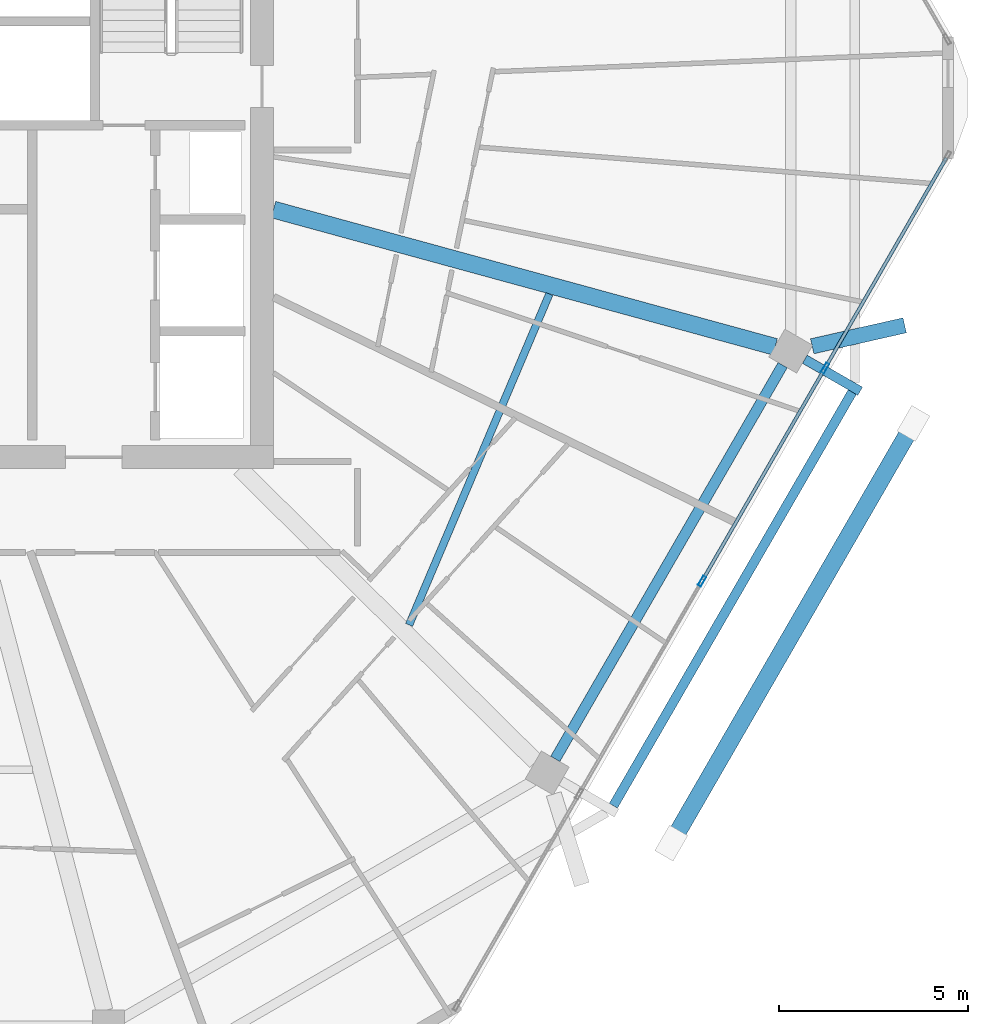
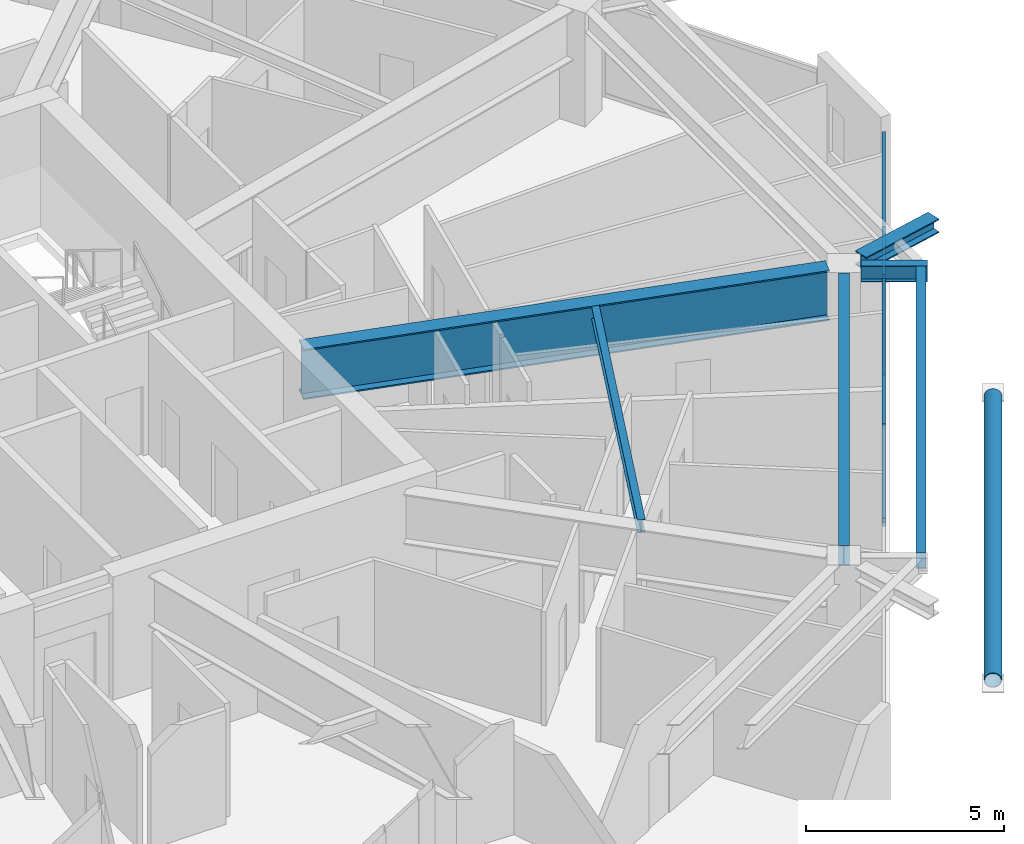
# One storey, part 10 of 26: 7 members, 6 beams, 1 element without a shape of its own.
"""IFC4 building model written with IfcOpenShell, lengths in metres."""

from ifc_helpers import new_model, si_unit, direction, frame, origin, origin_2d, place, context, subcontext, project, spatial, hollow_rectangle, hollow_circle, i_section, extrude, material, material_profile, profile_set, type_object, element, aggregate, save


model = new_model("IFC4")

# Units and contexts
model_context = context("Model", 3, precision=1e-05, world=origin(), true_north=direction((0.0, 1.0)))
body_context = subcontext(model_context, "Body", "Model", "MODEL_VIEW")
ifc_project = project(units=[si_unit("LENGTHUNIT", "METRE"), si_unit("AREAUNIT", "SQUARE_METRE"), si_unit("VOLUMEUNIT", "CUBIC_METRE"), si_unit("PLANEANGLEUNIT", "RADIAN"), si_unit("MASSUNIT", "GRAM", prefix="KILO")], contexts=[model_context])

# Site, building, storey
site_placement = place(None, origin())
site = spatial("IfcSite", under=ifc_project, at=site_placement, CompositionType="ELEMENT")
building_placement = place(site_placement, origin())
building = spatial("IfcBuilding", under=site, at=building_placement, Name="Zuhravey Tower", CompositionType="ELEMENT")
storey_placement = place(building_placement, frame((0.0, 0.0, 299.60009765625)))
storey = spatial("IfcBuildingStorey", under=building, at=storey_placement, Name="L76", CompositionType="ELEMENT", Elevation=299.60009765625)

# Curtain wall, members
ifc_material_1 = material(Name="Thermally broken anodised aluminium", Category="aluminium")
curtain_wall_type = type_object("IfcCurtainWallType", Name="Zone 3-4 High-Rise Curtain Wall CW4", PredefinedType="NOTDEFINED", material=ifc_material_1)
curtain_wall_placement = place(storey_placement, origin())
curtain_wall = element("IfcCurtainWall", 1, at=curtain_wall_placement, inside=storey, type_object=curtain_wall_type, Name="L76 CW4 CW-L76-F6-1", PredefinedType="NOTDEFINED")
ifc_material_2 = material(Name="Anodised aluminium", Category="aluminium")
ifc_material_profile_1 = material_profile(ifc_material_2, hollow_rectangle(XDim=0.090087890625, YDim=0.284912109375, WallThickness=0.0048828125, at=origin_2d()), Name="ALU-RHS-90x285x5")
ifc_profile_set_1 = profile_set([ifc_material_profile_1], Name="Anodised aluminium")
member_type_1 = type_object("IfcMemberType", Name="Curtain-Wall Mullion 90x180", PredefinedType="MULLION", material=ifc_profile_set_1)
member_1_placement = place(storey_placement, frame((61.391845703125, 24.852783203125, 0.0), z_axis=(0.0, 0.0, 1.0), x_axis=(0.866024851021, -0.500000957414, 0.0)))
member_1 = element("IfcMember", 2, at=member_1_placement, type_object=member_type_1, Name="CW4 mullion 2", PredefinedType="MULLION", context=body_context, shape_type="SweptSolid", body=[
    extrude(hollow_rectangle(XDim=0.090087890625, YDim=0.284912109375, WallThickness=0.0048828125, at=origin_2d()), origin(), (0.0, 0.0, 1.0), 3.02001953125),
])
member_2_placement = place(storey_placement, frame((58.138671875, 19.21826171875, 0.0), z_axis=(0.0, 0.0, 1.0), x_axis=(0.866024851021, -0.500000957414, 0.0)))
member_2 = element("IfcMember", 3, at=member_2_placement, type_object=member_type_1, Name="CW4 mullion 3", PredefinedType="MULLION", context=body_context, shape_type="SweptSolid", body=[
    extrude(hollow_rectangle(XDim=0.090087890625, YDim=0.284912109375, WallThickness=0.0048828125, at=origin_2d()), origin(), (0.0, 0.0, 1.0), 3.02001953125),
])
ifc_material_profile_2 = material_profile(ifc_material_2, hollow_rectangle(XDim=0.090087890625, YDim=0.14990234375, WallThickness=0.0048828125, at=origin_2d()), Name="ALU-RHS-90x150x5")
ifc_profile_set_2 = profile_set([ifc_material_profile_2], Name="Anodised aluminium")
member_type_2 = type_object("IfcMemberType", Name="Curtain-Wall Transom 90x150", PredefinedType="USERDEFINED", material=ifc_profile_set_2)
member_3_placement = place(storey_placement, frame((64.60009765625, 30.40966796875, 0.044921875), z_axis=(-0.500008810174, -0.866020317169, 0.0), x_axis=(0.866020317169, -0.500008810174, 0.0)))
member_3 = element("IfcMember", 4, at=member_3_placement, type_object=member_type_2, Name="CW4 transom 1.1", ObjectType="TRANSOM", PredefinedType="USERDEFINED", context=body_context, shape_type="SweptSolid", body=[
    extrude(hollow_rectangle(XDim=0.090087890625, YDim=0.14990234375, WallThickness=0.0048828125, at=origin_2d()), origin(), (0.0, 0.0, 1.0), 6.37158203125),
])
member_4_placement = place(storey_placement, frame((64.60009765625, 30.40966796875, 2.974853515625), z_axis=(-0.500008810174, -0.866020317169, 0.0), x_axis=(0.866020317169, -0.500008810174, 0.0)))
member_4 = element("IfcMember", 5, at=member_4_placement, type_object=member_type_2, Name="CW4 transom 1.2", ObjectType="TRANSOM", PredefinedType="USERDEFINED", context=body_context, shape_type="SweptSolid", body=[
    extrude(hollow_rectangle(XDim=0.090087890625, YDim=0.14990234375, WallThickness=0.0048828125, at=origin_2d()), origin(), (0.0, 0.0, 1.0), 6.37158203125),
])
member_5_placement = place(storey_placement, frame((61.369384765625, 24.81396484375, 0.044921875), z_axis=(-0.499998017366, -0.866026548456, 0.0), x_axis=(0.866026548456, -0.499998017366, 0.0)))
member_5 = element("IfcMember", 6, at=member_5_placement, type_object=member_type_2, Name="CW4 transom 2.1", ObjectType="TRANSOM", PredefinedType="USERDEFINED", context=body_context, shape_type="SweptSolid", body=[
    extrude(hollow_rectangle(XDim=0.090087890625, YDim=0.14990234375, WallThickness=0.0048828125, at=origin_2d()), origin(), (0.0, 0.0, 1.0), 6.41650390625),
])
member_6_placement = place(storey_placement, frame((61.369384765625, 24.81396484375, 2.974853515625), z_axis=(-0.499998017366, -0.866026548456, 0.0), x_axis=(0.866026548456, -0.499998017366, 0.0)))
member_6 = element("IfcMember", 7, at=member_6_placement, type_object=member_type_2, Name="CW4 transom 2.2", ObjectType="TRANSOM", PredefinedType="USERDEFINED", context=body_context, shape_type="SweptSolid", body=[
    extrude(hollow_rectangle(XDim=0.090087890625, YDim=0.14990234375, WallThickness=0.0048828125, at=origin_2d()), origin(), (0.0, 0.0, 1.0), 6.41650390625),
])
aggregate(curtain_wall, [member_1, member_2, member_3, member_4, member_5, member_6])

# Beam
ifc_material_3 = material(Name="Steel SM460", Category="steel")
ifc_material_profile_3 = material_profile(ifc_material_3, i_section(OverallWidth=0.406982421875, OverallDepth=0.427978515625, WebThickness=0.02001953125, FlangeThickness=0.034912109375, at=origin_2d()), Name="H-428x407x20x35")
ifc_profile_set_3 = profile_set([ifc_material_profile_3], Name="Steel SM460")
beam_type_1 = type_object("IfcBeamType", Name="Exoskeleton Node Tie Beam H428x407", PredefinedType="BEAM", material=ifc_profile_set_3)
beam_1_placement = place(storey_placement, frame((61.052978515625, 25.429931640625, 3.305908203125), z_axis=(0.975322792155, 0.220783720192, 0.0), x_axis=(-0.220783720192, 0.975322792155, 0.0)))
element("IfcBeam", 8, at=beam_1_placement, inside=storey, type_object=beam_type_1, Name="L76 Exoskeleton Node Tie NT1-12", PredefinedType="BEAM", context=body_context, shape_type="SweptSolid", body=[
    extrude(i_section(OverallWidth=0.406982421875, OverallDepth=0.427978515625, WebThickness=0.02001953125, FlangeThickness=0.034912109375, at=origin_2d()), origin(), (0.0, 0.0, 1.0), 2.5078125),
])

# Member
ifc_material_4 = material(Name="Steel SM355", Category="steel")
ifc_material_profile_4 = material_profile(ifc_material_4, hollow_circle(Radius=0.228515625, WallThickness=0.02197265625, at=origin_2d()), Name="CHS-457.2x22")
ifc_profile_set_4 = profile_set([ifc_material_profile_4], Name="Steel SM355")
member_type_3 = type_object("IfcMemberType", Name="Exoskeleton Ring Tie CHS457x22", PredefinedType="CHORD", material=ifc_profile_set_4)
member_7_placement = place(storey_placement, frame((57.39501953125, 12.41015625, -0.464111328125), z_axis=(0.50000793057, 0.866020825019, 0.0), x_axis=(-0.866020825019, 0.50000793057, 0.0)))
element("IfcMember", 9, at=member_7_placement, inside=storey, type_object=member_type_3, Name="L76 Exoskeleton Face 6 Tie EXR1", PredefinedType="CHORD", context=body_context, shape_type="SweptSolid", body=[
    extrude(hollow_circle(Radius=0.228515625, WallThickness=0.02197265625, at=origin_2d()), origin(), (0.0, 0.0, 1.0), 12.535400390625),
])

# Beams
ifc_material_profile_5 = material_profile(ifc_material_3, i_section(OverallWidth=0.449951171875, OverallDepth=1.550048828125, WebThickness=0.02587890625, FlangeThickness=0.0419921875, at=origin_2d()), Name="H-1550x450x26x42")
ifc_profile_set_5 = profile_set([ifc_material_profile_5], Name="Steel SM460")
beam_type_2 = type_object("IfcBeamType", Name="Heavy Setback Transfer Girder H1550x450", PredefinedType="BEAM", material=ifc_profile_set_5)
beam_2_placement = place(storey_placement, frame((46.802978515625, 29.04443359375, 2.744873046875), z_axis=(0.964549305009, -0.263902705947, 0.0), x_axis=(0.263902705947, 0.964549305009, 0.0)))
element("IfcBeam", 10, at=beam_2_placement, inside=storey, type_object=beam_type_2, Name="L76 TG3 BM-L76-RAD-12", PredefinedType="BEAM", context=body_context, shape_type="SweptSolid", body=[
    extrude(i_section(OverallWidth=0.449951171875, OverallDepth=1.550048828125, WebThickness=0.02587890625, FlangeThickness=0.0419921875, at=origin_2d()), origin(), (0.0, 0.0, 1.0), 13.756591796875),
])
ifc_material_profile_6 = material_profile(ifc_material_4, i_section(OverallWidth=0.280029296875, OverallDepth=0.6201171875, WebThickness=0.011962890625, FlangeThickness=0.02001953125, at=origin_2d()), Name="H-620x280x12x20")
ifc_profile_set_6 = profile_set([ifc_material_profile_6], Name="Steel SM355")
beam_type_3 = type_object("IfcBeamType", Name="Perimeter Ring Beam H620x280", PredefinedType="BEAM", material=ifc_profile_set_6)
beam_3_placement = place(storey_placement, frame((54.257568359375, 14.515869140625, 3.2099609375), z_axis=(0.500005971936, 0.866021955858, 0.0), x_axis=(-0.866021955858, 0.500005971936, 0.0)))
element("IfcBeam", 11, at=beam_3_placement, inside=storey, type_object=beam_type_3, Name="L76 PB3 BM-L76-PB-11", PredefinedType="BEAM", context=body_context, shape_type="SweptSolid", body=[
    extrude(i_section(OverallWidth=0.280029296875, OverallDepth=0.6201171875, WebThickness=0.011962890625, FlangeThickness=0.02001953125, at=origin_2d()), origin(), (0.0, 0.0, 1.0), 12.025634765625),
])
ifc_material_profile_7 = material_profile(ifc_material_4, i_section(OverallWidth=0.199951171875, OverallDepth=0.39990234375, WebThickness=0.008056640625, FlangeThickness=0.012939453125, at=origin_2d()), Name="H-400x200x8x13")
ifc_profile_set_7 = profile_set([ifc_material_profile_7], Name="Steel SM355")
beam_type_4 = type_object("IfcBeamType", Name="Secondary Floor Joist H400x200", PredefinedType="JOIST", material=ifc_profile_set_7)
beam_4_placement = place(storey_placement, frame((50.39013671875, 18.059814453125, 3.31982421875), z_axis=(0.39039551833, 0.92064723932, 0.0), x_axis=(-0.92064723932, 0.39039551833, 0.0)))
element("IfcBeam", 12, at=beam_4_placement, inside=storey, type_object=beam_type_4, Name="L76 SJ2 BM-L76-SJ-11-1", PredefinedType="JOIST", context=body_context, shape_type="SweptSolid", body=[
    extrude(i_section(OverallWidth=0.199951171875, OverallDepth=0.39990234375, WebThickness=0.008056640625, FlangeThickness=0.012939453125, at=origin_2d()), origin(), (0.0, 0.0, 1.0), 9.5068359375),
])
ifc_material_profile_8 = material_profile(ifc_material_4, i_section(OverallWidth=0.25, OverallDepth=0.5, WebThickness=0.010009765625, FlangeThickness=0.01611328125, at=origin_2d()), Name="H-500x250x10x16")
ifc_profile_set_8 = profile_set([ifc_material_profile_8], Name="Steel SM355")
beam_type_5 = type_object("IfcBeamType", Name="Tray Cantilever Spandrel H500x250", PredefinedType="SPANDREL", material=ifc_profile_set_8)
beam_5_placement = place(storey_placement, frame((60.85595703125, 25.086669921875, 3.27001953125), z_axis=(0.86605817518, -0.499943233981, 0.0), x_axis=(0.499943233981, 0.86605817518, 0.0)))
element("IfcBeam", 13, at=beam_5_placement, inside=storey, type_object=beam_type_5, Name="L76 Sky-Tray Cantilever Arm TSB1-R12", PredefinedType="SPANDREL", context=body_context, shape_type="SweptSolid", body=[
    extrude(i_section(OverallWidth=0.25, OverallDepth=0.5, WebThickness=0.010009765625, FlangeThickness=0.01611328125, at=origin_2d()), origin(), (0.0, 0.0, 1.0), 1.691162109375),
])
beam_6_placement = place(storey_placement, frame((55.793701171875, 13.27685546875, 3.27001953125), z_axis=(0.500022947832, 0.866012154442, 0.0), x_axis=(-0.866012154442, 0.500022947832, 0.0)))
element("IfcBeam", 14, at=beam_6_placement, inside=storey, type_object=beam_type_5, Name="L76 Sky-Tray Edge Spandrel TSB1-11", PredefinedType="SPANDREL", context=body_context, shape_type="SweptSolid", body=[
    extrude(i_section(OverallWidth=0.25, OverallDepth=0.5, WebThickness=0.010009765625, FlangeThickness=0.01611328125, at=origin_2d()), origin(), (0.0, 0.0, 1.0), 12.6357421875),
])

save(model, "model.ifc")
